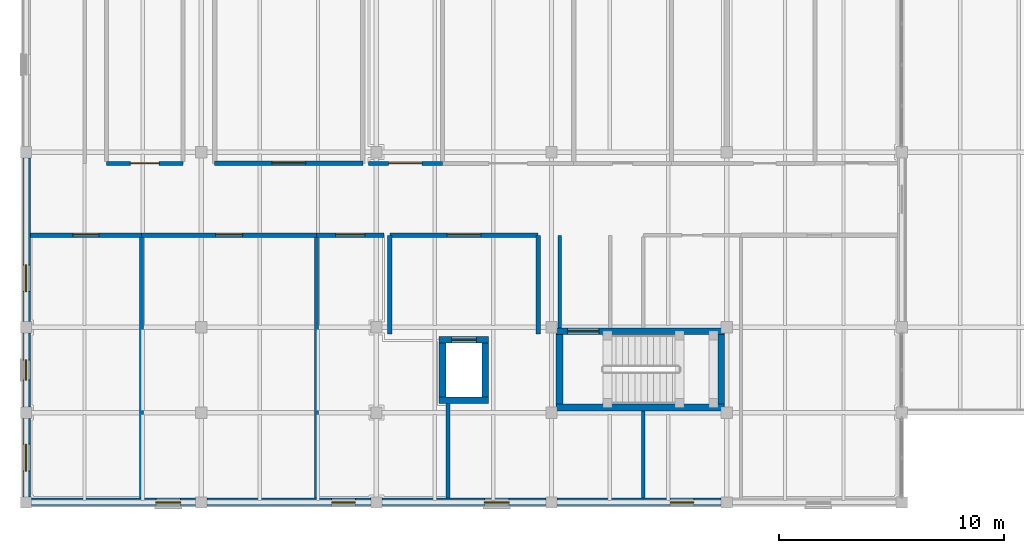
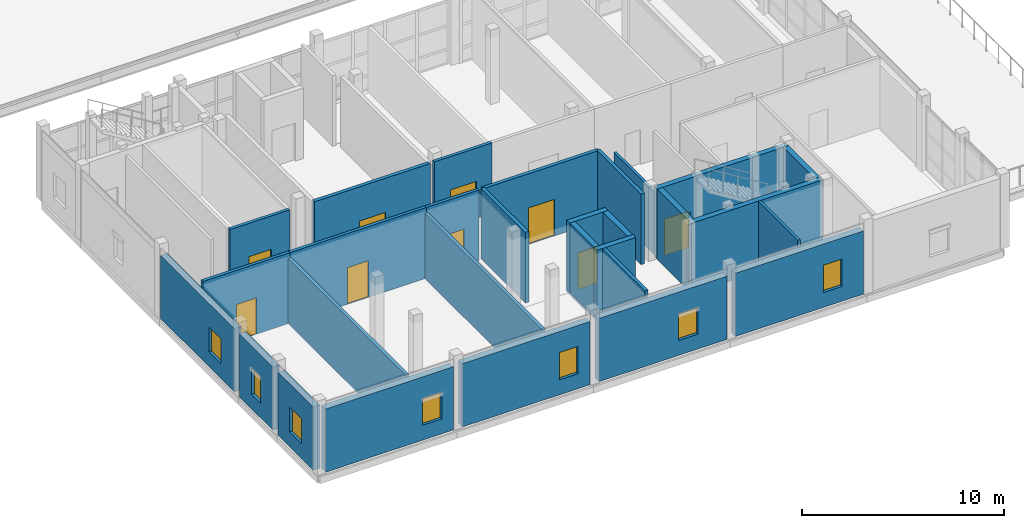
# One storey, part 65 of 89: 29 walls, 9 doors, 7 windows, 16 openings.
"""IFC4 building model written with IfcOpenShell, lengths in metres."""

import ifcopenshell
import ifcopenshell.guid

model = None  # the IFC model being written
_history = None  # IfcOwnerHistory: only IFC2X3 demands one
_inside = {}  # id of a spatial element -> (the spatial element, [elements in it])
_under = {}  # id of a project, library or spatial element -> (it, [spatial elements below it])
_declared = {}  # id of a project -> (the project, [libraries it declares])
_typed = {}  # id of a type object -> (the type object, [elements of that type])
_made_of = {}  # id of a material, layer set ... -> (it, [elements and type objects made of it])


def new_model(schema):
    """Start an empty IFC model of exactly this schema.

    Asked for "IFC4X3", IfcOpenShell would pick the latest addendum, in which some entities
    have other attributes; the version numbers below select the first issue.
    IFC2X3 requires an IfcOwnerHistory on every rooted entity: one is made here for all.
    """
    global model, _history
    if schema == "IFC4X3":
        model = ifcopenshell.file(schema_version=(4, 3, 0, 0))
    else:
        model = ifcopenshell.file(schema=schema)
    _inside.clear()
    _under.clear()
    _declared.clear()
    _typed.clear()
    _made_of.clear()
    _history = None
    if model.schema == "IFC2X3":
        org = make("IfcOrganization", Name="unknown")
        user = make(
            "IfcPersonAndOrganization",
            ThePerson=make("IfcPerson", FamilyName="unknown"),
            TheOrganization=org,
        )
        app = make(
            "IfcApplication",
            ApplicationDeveloper=org,
            Version="unknown",
            ApplicationFullName="unknown",
            ApplicationIdentifier="unknown",
        )
        _history = make(
            "IfcOwnerHistory",
            OwningUser=user,
            OwningApplication=app,
            ChangeAction="ADDED",
            CreationDate=0,
        )
    return model


def make(cls, **values):
    """One entity of the class cls with the attributes given. An attribute that is None is left unset."""
    return model.create_entity(
        cls, **{name: value for name, value in values.items() if value is not None}
    )


def rooted(cls, **values):
    """An entity with a GlobalId (a new one), such as an element, a storey or a relation."""
    return make(cls, GlobalId=ifcopenshell.guid.new(), OwnerHistory=_history, **values)


def si_unit(unit_type, name, prefix=None):
    """IfcSIUnit, for example si_unit("LENGTHUNIT", "METRE", prefix="MILLI")."""
    return make("IfcSIUnit", UnitType=unit_type, Prefix=prefix, Name=name)


def assignment(units):
    """IfcUnitAssignment: the units of a project."""
    return None if units is None else make("IfcUnitAssignment", Units=units)


def point(xyz):
    """IfcCartesianPoint."""
    return None if xyz is None else make("IfcCartesianPoint", Coordinates=xyz)


def direction(xyz):
    """IfcDirection."""
    return None if xyz is None else make("IfcDirection", DirectionRatios=xyz)


def frame(location, z_axis=None, x_axis=None):
    """IfcAxis2Placement3D, a coordinate frame: its origin and axes. An axis left out is left unset."""
    return make(
        "IfcAxis2Placement3D",
        Location=point(location),
        Axis=direction(z_axis),
        RefDirection=direction(x_axis),
    )


def frame_2d(location, x_axis=None):
    """IfcAxis2Placement2D, a coordinate frame in the plane: its origin and x axis."""
    return make(
        "IfcAxis2Placement2D", Location=point(location), RefDirection=direction(x_axis)
    )


def origin():
    """The frame at (0, 0, 0) with its axes left unset."""
    return frame((0.0, 0.0, 0.0))


def place(relative_to, where):
    """IfcLocalPlacement: puts the frame where relative to a parent placement (None: the world)."""
    return make(
        "IfcLocalPlacement", PlacementRelTo=relative_to, RelativePlacement=where
    )


def context(
    kind, dimensions, precision=None, world=None, true_north=None, identifier=None
):
    """IfcGeometricRepresentationContext, for example the 3D "Model" context."""
    return make(
        "IfcGeometricRepresentationContext",
        ContextIdentifier=identifier,
        ContextType=kind,
        CoordinateSpaceDimension=dimensions,
        Precision=precision,
        WorldCoordinateSystem=world,
        TrueNorth=true_north,
    )


def subcontext(parent, identifier, kind, view, scale=None):
    """IfcGeometricRepresentationSubContext, for example "Body" below "Model"."""
    return make(
        "IfcGeometricRepresentationSubContext",
        ContextIdentifier=identifier,
        ContextType=kind,
        ParentContext=parent,
        TargetScale=scale,
        TargetView=view,
    )


def project(units=None, contexts=None):
    """IfcProject with its units and contexts."""
    return rooted(
        "IfcProject",
        Name="project",
        RepresentationContexts=contexts,
        UnitsInContext=assignment(units),
    )


def spatial(cls, under=None, at=None, **own):
    """A site, building, storey or space (cls), placed at a placement, below another one or the project."""
    s = rooted(cls, ObjectPlacement=at, **own)
    if under is not None:
        _under.setdefault(under.id(), (under, []))[1].append(s)
    return s


def profile(cls, at=None, kind="AREA", **sizes):
    """A parametric profile (cls). Its sizes go by their IFC names, for example OverallWidth=200.0."""
    return make(cls, ProfileType=kind, Position=at, **sizes)


def rectangle(**sizes):
    """IfcRectangleProfileDef."""
    return profile("IfcRectangleProfileDef", **sizes)


def extrude(swept, where, along, depth):
    """IfcExtrudedAreaSolid: the profile swept, set in the frame where, extruded along a direction by depth."""
    return make(
        "IfcExtrudedAreaSolid",
        SweptArea=swept,
        Position=where,
        ExtrudedDirection=direction(along),
        Depth=depth,
    )


def shape(context_of_items, identifier, shape_type, items):
    """IfcShapeRepresentation: the items that make up one representation, for example the "Body"."""
    return make(
        "IfcShapeRepresentation",
        ContextOfItems=context_of_items,
        RepresentationIdentifier=identifier,
        RepresentationType=shape_type,
        Items=items,
    )


def material(Name=None, Category=None):
    """IfcMaterial."""
    return make("IfcMaterial", Name=Name, Category=Category)


def layer(
    of_material, thickness, ventilated=None, Name=None, Category=None, Priority=None
):
    """IfcMaterialLayer: one layer of a wall or slab, of a material (None: an air gap)."""
    return make(
        "IfcMaterialLayer",
        Material=of_material,
        LayerThickness=thickness,
        IsVentilated=ventilated,
        Name=Name,
        Category=Category,
        Priority=Priority,
    )


def layer_set(layers, Name=None):
    """IfcMaterialLayerSet."""
    return make("IfcMaterialLayerSet", MaterialLayers=layers, LayerSetName=Name)


def made_of(thing, what):
    """Note that an element or type object is made of a material, layer set ...; save() writes the relation."""
    if what is not None:
        _made_of.setdefault(what.id(), (what, []))[1].append(thing)
    return thing


def type_object(cls, material=None, **own):
    """A type object (cls), such as IfcWallType, which elements share."""
    return made_of(rooted(cls, **own), material)


def element(
    cls,
    number,
    at=None,
    inside=None,
    cuts=None,
    type_object=None,
    material=None,
    context=None,
    identifier="Body",
    shape_type=None,
    held_by="IfcProductDefinitionShape",
    body=None,
    shapes=None,
    **own,
):
    """One element of the class cls, such as IfcWall. Its Tag is "e" and its number.

    at: its placement. inside: the storey or other place that contains it. cuts: it is an
    opening in that element (IfcRelVoidsElement). A single representation is given by context,
    identifier, shape_type and body (its items); several are given by shapes. held_by: the class
    of the entity that holds the representations. save() writes the other relations.
    """
    e = rooted(cls, Tag="e%d" % number, ObjectPlacement=at, **own)
    if body is not None:
        shapes = [shape(context, identifier, shape_type, body)]
    if shapes is not None:
        e.Representation = make(held_by, Representations=shapes)
    if inside is not None:
        _inside.setdefault(inside.id(), (inside, []))[1].append(e)
    if cuts is not None:
        rooted(
            "IfcRelVoidsElement", RelatingBuildingElement=cuts, RelatedOpeningElement=e
        )
    if type_object is not None:
        _typed.setdefault(type_object.id(), (type_object, []))[1].append(e)
    return made_of(e, material)


def fill(opening, filler):
    """IfcRelFillsElement: the door or window that sits in an opening."""
    return rooted(
        "IfcRelFillsElement",
        RelatingOpeningElement=opening,
        RelatedBuildingElement=filler,
    )


def aggregate(whole, parts):
    """IfcRelAggregates: a whole, such as a stair, and the parts it consists of."""
    return rooted("IfcRelAggregates", RelatingObject=whole, RelatedObjects=parts)


def save(model, path):
    """Write the relations noted so far, then the file.

    IfcRelAggregates (storeys below a building ...), IfcRelContainedInSpatialStructure (elements
    in a storey), IfcRelDefinesByType, IfcRelAssociatesMaterial and IfcRelDeclares: one each for
    every whole, place, type object, material and project.
    """
    for whole, parts in _under.values():
        aggregate(whole, parts)
    for where, things in _inside.values():
        rooted(
            "IfcRelContainedInSpatialStructure",
            RelatedElements=things,
            RelatingStructure=where,
        )
    for kind, things in _typed.values():
        rooted("IfcRelDefinesByType", RelatedObjects=things, RelatingType=kind)
    for what, things in _made_of.values():
        rooted("IfcRelAssociatesMaterial", RelatedObjects=things, RelatingMaterial=what)
    for by, libraries in _declared.values():
        rooted("IfcRelDeclares", RelatingContext=by, RelatedDefinitions=libraries)
    model.write(path)


model = new_model("IFC4")

# Units and contexts
model_context = context("Model", 3, precision=1e-05, world=origin(), true_north=direction((0.0, 1.0)))
body_context = subcontext(model_context, "Body", "Model", "MODEL_VIEW")
ifc_project = project(units=[si_unit("LENGTHUNIT", "METRE"), si_unit("AREAUNIT", "SQUARE_METRE"), si_unit("VOLUMEUNIT", "CUBIC_METRE"), si_unit("PLANEANGLEUNIT", "RADIAN"), si_unit("MASSUNIT", "GRAM", prefix="KILO")], contexts=[model_context])

# Site, building, storey
site_placement = place(None, origin())
site = spatial("IfcSite", under=ifc_project, at=site_placement, CompositionType="ELEMENT")
building_placement = place(site_placement, origin())
building = spatial("IfcBuilding", under=site, at=building_placement, Name="Celorna Specialist Clinic", CompositionType="ELEMENT")
storey_placement = place(building_placement, frame((0.0, 0.0, 14.10009765625)))
storey = spatial("IfcBuildingStorey", under=building, at=storey_placement, Name="L03", CompositionType="ELEMENT", Elevation=14.10009765625)

# Wall, opening, window
ifc_material_1 = material(Name="Terracotta masonry with insulated cavity", Category="masonry")
ifc_layer_1 = layer(ifc_material_1, 0.3798828125, Name="Terracotta masonry with insulated cavity")
ifc_layer_set_1 = layer_set([ifc_layer_1], Name="Terracotta masonry with insulated cavity")
wall_type_1 = type_object("IfcWallType", Name="WT-06", PredefinedType="STANDARD", material=ifc_layer_set_1)
wall_1_placement = place(storey_placement, frame((7.550048828125, 0.0, 0.0), z_axis=(0.0, 0.0, 1.0), x_axis=(-1.0, 0.0, 0.0)))
wall_1 = element("IfcWall", 1, at=wall_1_placement, inside=storey, type_object=wall_type_1, Name="External facade wall WT-06 #349", PredefinedType="STANDARD", context=body_context, shape_type="SweptSolid", body=[
    extrude(rectangle(XDim=7.300048828125, YDim=0.3798828125, at=frame_2d((3.64990234375, 0.0))), origin(), (0.0, 0.0, 1.0), 3.81982421875),
])
opening_1_placement = place(wall_1_placement, frame((0.6650390625, 0.0, 0.89990234375)))
opening_1 = element("IfcOpeningElement", 2, at=opening_1_placement, cuts=wall_1, Name="Opening WN-03", PredefinedType="OPENING", context=body_context, shape_type="SweptSolid", body=[
    extrude(rectangle(XDim=1.10009765625, YDim=1.60009765625, at=frame_2d((0.550048828125, 0.800048828125))), frame((0.0, 0.199951171875, 0.0), z_axis=(0.0, -1.0, 0.0), x_axis=(1.0, 0.0, 0.0)), (0.0, 0.0, 1.0), 0.39990234375),
])
ifc_material_2 = material(Name="Thermally broken aluminium triple-glazed window", Category="aluminium")
window_type_1 = type_object("IfcWindowType", Name="WN-03", PartitioningType="SINGLE_PANEL", PredefinedType="WINDOW", material=ifc_material_2)
window_1_placement = place(opening_1_placement, origin())
window_1 = element("IfcWindow", 3, at=window_1_placement, inside=storey, type_object=window_type_1, Name="Facade window WN-03 #214", OverallHeight=1.60009765625, OverallWidth=1.10009765625, PartitioningType="SINGLE_PANEL", PredefinedType="WINDOW", context=body_context, shape_type="SweptSolid", body=[
    extrude(rectangle(XDim=1.10009765625, YDim=1.60009765625, at=frame_2d((0.550048828125, 0.800048828125))), frame((0.0, 0.030029296875, 0.0), z_axis=(0.0, -1.0, 0.0), x_axis=(1.0, 0.0, 0.0)), (0.0, 0.0, 1.0), 0.06005859375),
])
fill(opening_1, window_1)

wall_2_placement = place(storey_placement, frame((15.35009765625, 0.0, 0.0), z_axis=(0.0, 0.0, 1.0), x_axis=(-1.0, 0.0, 0.0)))
wall_2 = element("IfcWall", 4, at=wall_2_placement, inside=storey, type_object=wall_type_1, Name="External facade wall WT-06 #350", PredefinedType="STANDARD", context=body_context, shape_type="SweptSolid", body=[
    extrude(rectangle(XDim=7.300048828125, YDim=0.3798828125, at=frame_2d((3.64990234375, 0.0))), origin(), (0.0, 0.0, 1.0), 3.81982421875),
])
opening_2_placement = place(wall_2_placement, frame((0.68994140625, 0.0, 0.89990234375)))
opening_2 = element("IfcOpeningElement", 5, at=opening_2_placement, cuts=wall_2, Name="Opening WN-21", PredefinedType="OPENING", context=body_context, shape_type="SweptSolid", body=[
    extrude(rectangle(XDim=1.050048828125, YDim=1.64990234375, at=frame_2d((0.52490234375, 0.824951171875))), frame((0.0, 0.199951171875, 0.0), z_axis=(0.0, -1.0, 0.0), x_axis=(1.0, 0.0, 0.0)), (0.0, 0.0, 1.0), 0.39990234375),
])
window_type_2 = type_object("IfcWindowType", Name="WN-21", PartitioningType="SINGLE_PANEL", PredefinedType="WINDOW", material=ifc_material_2)
window_2_placement = place(opening_2_placement, origin())
window_2 = element("IfcWindow", 6, at=window_2_placement, inside=storey, type_object=window_type_2, Name="Facade window WN-21 #215", OverallHeight=1.64990234375, OverallWidth=1.050048828125, PartitioningType="SINGLE_PANEL", PredefinedType="WINDOW", context=body_context, shape_type="SweptSolid", body=[
    extrude(rectangle(XDim=1.050048828125, YDim=1.64990234375, at=frame_2d((0.52490234375, 0.824951171875))), frame((0.0, 0.030029296875, 0.0), z_axis=(0.0, -1.0, 0.0), x_axis=(1.0, 0.0, 0.0)), (0.0, 0.0, 1.0), 0.06005859375),
])
fill(opening_2, window_2)

wall_3_placement = place(storey_placement, frame((23.14990234375, 0.0, 0.0), z_axis=(0.0, 0.0, 1.0), x_axis=(-1.0, 0.0, 0.0)))
wall_3 = element("IfcWall", 7, at=wall_3_placement, inside=storey, type_object=wall_type_1, Name="External facade wall WT-06 #351", PredefinedType="STANDARD", context=body_context, shape_type="SweptSolid", body=[
    extrude(rectangle(XDim=7.2998046875, YDim=0.3798828125, at=frame_2d((3.64990234375, 0.0))), origin(), (0.0, 0.0, 1.0), 3.81982421875),
])
opening_3_placement = place(wall_3_placement, frame((1.639892578125, 0.0, 0.89990234375)))
opening_3 = element("IfcOpeningElement", 8, at=opening_3_placement, cuts=wall_3, Name="Opening WN-03", PredefinedType="OPENING", context=body_context, shape_type="SweptSolid", body=[
    extrude(rectangle(XDim=1.10009765625, YDim=1.60009765625, at=frame_2d((0.550048828125, 0.800048828125))), frame((0.0, 0.199951171875, 0.0), z_axis=(0.0, -1.0, 0.0), x_axis=(1.0, 0.0, 0.0)), (0.0, 0.0, 1.0), 0.39990234375),
])
window_3_placement = place(opening_3_placement, origin())
window_3 = element("IfcWindow", 9, at=window_3_placement, inside=storey, type_object=window_type_1, Name="Facade window WN-03 #216", OverallHeight=1.60009765625, OverallWidth=1.10009765625, PartitioningType="SINGLE_PANEL", PredefinedType="WINDOW", context=body_context, shape_type="SweptSolid", body=[
    extrude(rectangle(XDim=1.10009765625, YDim=1.60009765625, at=frame_2d((0.550048828125, 0.800048828125))), frame((0.0, 0.030029296875, 0.0), z_axis=(0.0, -1.0, 0.0), x_axis=(1.0, 0.0, 0.0)), (0.0, 0.0, 1.0), 0.06005859375),
])
fill(opening_3, window_3)

wall_4_placement = place(storey_placement, frame((30.949951171875, 0.0, 0.0), z_axis=(0.0, 0.0, 1.0), x_axis=(-1.0, 0.0, 0.0)))
wall_4 = element("IfcWall", 10, at=wall_4_placement, inside=storey, type_object=wall_type_1, Name="External facade wall WT-06 #352", PredefinedType="STANDARD", context=body_context, shape_type="SweptSolid", body=[
    extrude(rectangle(XDim=7.300048828125, YDim=0.3798828125, at=frame_2d((3.64990234375, 0.0))), origin(), (0.0, 0.0, 1.0), 3.81982421875),
])
opening_4_placement = place(wall_4_placement, frame((1.215087890625, 0.0, 0.89990234375)))
opening_4 = element("IfcOpeningElement", 11, at=opening_4_placement, cuts=wall_4, Name="Opening WN-21", PredefinedType="OPENING", context=body_context, shape_type="SweptSolid", body=[
    extrude(rectangle(XDim=1.050048828125, YDim=1.64990234375, at=frame_2d((0.52490234375, 0.824951171875))), frame((0.0, 0.199951171875, 0.0), z_axis=(0.0, -1.0, 0.0), x_axis=(1.0, 0.0, 0.0)), (0.0, 0.0, 1.0), 0.39990234375),
])
window_4_placement = place(opening_4_placement, origin())
window_4 = element("IfcWindow", 12, at=window_4_placement, inside=storey, type_object=window_type_2, Name="Facade window WN-21 #217", OverallHeight=1.64990234375, OverallWidth=1.050048828125, PartitioningType="SINGLE_PANEL", PredefinedType="WINDOW", context=body_context, shape_type="SweptSolid", body=[
    extrude(rectangle(XDim=1.050048828125, YDim=1.64990234375, at=frame_2d((0.52490234375, 0.824951171875))), frame((0.0, 0.030029296875, 0.0), z_axis=(0.0, -1.0, 0.0), x_axis=(1.0, 0.0, 0.0)), (0.0, 0.0, 1.0), 0.06005859375),
])
fill(opening_4, window_4)

wall_5_placement = place(storey_placement, frame((0.0, 0.25, 0.0), z_axis=(0.0, 0.0, 1.0), x_axis=(0.0, 1.0, 0.0)))
wall_5 = element("IfcWall", 13, at=wall_5_placement, inside=storey, type_object=wall_type_1, Name="External facade wall WT-06 #354", PredefinedType="STANDARD", context=body_context, shape_type="SweptSolid", body=[
    extrude(rectangle(XDim=3.5, YDim=0.3798828125, at=frame_2d((1.75, 0.0))), origin(), (0.0, 0.0, 1.0), 3.81982421875),
])
opening_5_placement = place(wall_5_placement, frame((1.14990234375, 0.0, 0.89990234375)))
opening_5 = element("IfcOpeningElement", 14, at=opening_5_placement, cuts=wall_5, Name="Opening WN-04", PredefinedType="OPENING", context=body_context, shape_type="SweptSolid", body=[
    extrude(rectangle(XDim=1.199951171875, YDim=1.5, at=frame_2d((0.60009765625, 0.75))), frame((0.0, 0.199951171875, 0.0), z_axis=(0.0, -1.0, 0.0), x_axis=(1.0, 0.0, 0.0)), (0.0, 0.0, 1.0), 0.39990234375),
])
window_type_3 = type_object("IfcWindowType", Name="WN-04", PartitioningType="SINGLE_PANEL", PredefinedType="WINDOW", material=ifc_material_2)
window_5_placement = place(opening_5_placement, origin())
window_5 = element("IfcWindow", 15, at=window_5_placement, inside=storey, type_object=window_type_3, Name="Facade window WN-04 #219", OverallHeight=1.5, OverallWidth=1.199951171875, PartitioningType="SINGLE_PANEL", PredefinedType="WINDOW", context=body_context, shape_type="SweptSolid", body=[
    extrude(rectangle(XDim=1.199951171875, YDim=1.5, at=frame_2d((0.60009765625, 0.75))), frame((0.0, 0.030029296875, 0.0), z_axis=(0.0, -1.0, 0.0), x_axis=(1.0, 0.0, 0.0)), (0.0, 0.0, 1.0), 0.06005859375),
])
fill(opening_5, window_5)

wall_6_placement = place(storey_placement, frame((0.0, 4.25, 0.0), z_axis=(0.0, 0.0, 1.0), x_axis=(0.0, 1.0, 0.0)))
wall_6 = element("IfcWall", 16, at=wall_6_placement, inside=storey, type_object=wall_type_1, Name="External facade wall WT-06 #355", PredefinedType="STANDARD", context=body_context, shape_type="SweptSolid", body=[
    extrude(rectangle(XDim=3.300048828125, YDim=0.3798828125, at=frame_2d((1.64990234375, 0.0))), origin(), (0.0, 0.0, 1.0), 3.81982421875),
])
opening_6_placement = place(wall_6_placement, frame((1.199951171875, 0.0, 0.89990234375)))
opening_6 = element("IfcOpeningElement", 17, at=opening_6_placement, cuts=wall_6, Name="Opening WN-01", PredefinedType="OPENING", context=body_context, shape_type="SweptSolid", body=[
    extrude(rectangle(XDim=0.89990234375, YDim=1.60009765625, at=frame_2d((0.449951171875, 0.800048828125))), frame((0.0, 0.199951171875, 0.0), z_axis=(0.0, -1.0, 0.0), x_axis=(1.0, 0.0, 0.0)), (0.0, 0.0, 1.0), 0.39990234375),
])
window_type_4 = type_object("IfcWindowType", Name="WN-01", PartitioningType="SINGLE_PANEL", PredefinedType="WINDOW", material=ifc_material_2)
window_6_placement = place(opening_6_placement, origin())
window_6 = element("IfcWindow", 18, at=window_6_placement, inside=storey, type_object=window_type_4, Name="Facade window WN-01 #220", OverallHeight=1.60009765625, OverallWidth=0.89990234375, PartitioningType="SINGLE_PANEL", PredefinedType="WINDOW", context=body_context, shape_type="SweptSolid", body=[
    extrude(rectangle(XDim=0.89990234375, YDim=1.60009765625, at=frame_2d((0.449951171875, 0.800048828125))), frame((0.0, 0.030029296875, 0.0), z_axis=(0.0, -1.0, 0.0), x_axis=(1.0, 0.0, 0.0)), (0.0, 0.0, 1.0), 0.06005859375),
])
fill(opening_6, window_6)

wall_7_placement = place(storey_placement, frame((0.0, 8.050048828125, 0.0), z_axis=(0.0, 0.0, 1.0), x_axis=(0.0, 1.0, 0.0)))
wall_7 = element("IfcWall", 19, at=wall_7_placement, inside=storey, type_object=wall_type_1, Name="External facade wall WT-06 #356", PredefinedType="STANDARD", context=body_context, shape_type="SweptSolid", body=[
    extrude(rectangle(XDim=7.300048828125, YDim=0.3798828125, at=frame_2d((3.64990234375, 0.0))), origin(), (0.0, 0.0, 1.0), 3.81982421875),
])
opening_7_placement = place(wall_7_placement, frame((1.3349609375, 0.0, 0.89990234375)))
opening_7 = element("IfcOpeningElement", 20, at=opening_7_placement, cuts=wall_7, Name="Opening WN-04", PredefinedType="OPENING", context=body_context, shape_type="SweptSolid", body=[
    extrude(rectangle(XDim=1.199951171875, YDim=1.5, at=frame_2d((0.60009765625, 0.75))), frame((0.0, 0.199951171875, 0.0), z_axis=(0.0, -1.0, 0.0), x_axis=(1.0, 0.0, 0.0)), (0.0, 0.0, 1.0), 0.39990234375),
])
window_7_placement = place(opening_7_placement, origin())
window_7 = element("IfcWindow", 21, at=window_7_placement, inside=storey, type_object=window_type_3, Name="Facade window WN-04 #221", OverallHeight=1.5, OverallWidth=1.199951171875, PartitioningType="SINGLE_PANEL", PredefinedType="WINDOW", context=body_context, shape_type="SweptSolid", body=[
    extrude(rectangle(XDim=1.199951171875, YDim=1.5, at=frame_2d((0.60009765625, 0.75))), frame((0.0, 0.030029296875, 0.0), z_axis=(0.0, -1.0, 0.0), x_axis=(1.0, 0.0, 0.0)), (0.0, 0.0, 1.0), 0.06005859375),
])
fill(opening_7, window_7)

# Wall
ifc_material_3 = material(Name="Concrete C35/45", Category="concrete")
ifc_layer_2 = layer(ifc_material_3, 0.300048828125, Name="Concrete C35/45")
ifc_layer_set_2 = layer_set([ifc_layer_2], Name="Concrete C35/45")
wall_type_2 = type_object("IfcWallType", Name="WT-08", PredefinedType="SHEAR", material=ifc_layer_set_2)
wall_8_placement = place(storey_placement, frame((23.610107421875, 4.22998046875, 0.0), z_axis=(0.0, 0.0, 1.0), x_axis=(1.0, 0.0, 0.0)))
element("IfcWall", 22, at=wall_8_placement, inside=storey, type_object=wall_type_2, Name="Stair ST-05 RC core wall L03 south", PredefinedType="SHEAR", context=body_context, shape_type="SweptSolid", body=[
    extrude(rectangle(XDim=7.5, YDim=0.300048828125, at=frame_2d((3.75, 0.0))), origin(), (0.0, 0.0, 1.0), 4.260009765625),
])

# Wall, opening, door
wall_9_placement = place(storey_placement, frame((31.110107421875, 7.6298828125, 0.0), z_axis=(0.0, 0.0, 1.0), x_axis=(-1.0, 0.0, 0.0)))
wall_9 = element("IfcWall", 23, at=wall_9_placement, inside=storey, type_object=wall_type_2, Name="Stair ST-05 RC core wall L03 north", PredefinedType="SHEAR", context=body_context, shape_type="SweptSolid", body=[
    extrude(rectangle(XDim=7.5, YDim=0.300048828125, at=frame_2d((3.75, 0.0))), origin(), (0.0, 0.0, 1.0), 4.260009765625),
])
opening_8_placement = place(wall_9_placement, frame((5.60009765625, 0.0, 0.0)))
opening_8 = element("IfcOpeningElement", 24, at=opening_8_placement, cuts=wall_9, Name="Opening DR-10", PredefinedType="OPENING", context=body_context, shape_type="SweptSolid", body=[
    extrude(rectangle(XDim=1.39990234375, YDim=2.199951171875, at=frame_2d((0.699951171875, 1.10009765625))), frame((0.0, 0.159912109375, 0.0), z_axis=(0.0, -1.0, 0.0), x_axis=(1.0, 0.0, 0.0)), (0.0, 0.0, 1.0), 0.320068359375),
])
ifc_material_4 = material(Name="Protected exit stair fire door")
door_type_1 = type_object("IfcDoorType", Name="DR-10", OperationType="NOTDEFINED", PredefinedType="DOOR", material=ifc_material_4)
door_1_placement = place(opening_8_placement, origin())
door_1 = element("IfcDoor", 25, at=door_1_placement, inside=storey, type_object=door_type_1, Name="Protected exit stair door ST-05 L03", OperationType="SINGLE_SWING_RIGHT", OverallHeight=2.199951171875, OverallWidth=1.39990234375, PredefinedType="DOOR", context=body_context, shape_type="SweptSolid", body=[
    extrude(rectangle(XDim=1.39990234375, YDim=2.199951171875, at=frame_2d((0.699951171875, 1.10009765625))), frame((0.0, 0.02490234375, 0.0), z_axis=(0.0, -1.0, 0.0), x_axis=(1.0, 0.0, 0.0)), (0.0, 0.0, 1.0), 0.050048828125),
])
fill(opening_8, door_1)

# Walls
for number, where, z_axis, x_axis, name in (
    (26, (23.760009765625, 7.47998046875, 0.0), (0.0, 0.0, 1.0), (0.0, -1.0, 0.0), "Stair ST-05 RC core wall L03 west"),
    (27, (30.9599609375, 4.3798828125, 0.0), (0.0, 0.0, 1.0), (0.0, 1.0, 0.0), "Stair ST-05 RC core wall L03 east"),
):
    element("IfcWall", number, at=place(storey_placement, frame(where, z_axis=z_axis, x_axis=x_axis)), inside=storey, type_object=wall_type_2, Name=name, PredefinedType="SHEAR", context=body_context, shape_type="SweptSolid", body=[
        extrude(rectangle(XDim=3.10009765625, YDim=0.300048828125, at=frame_2d((1.550048828125, 0.0))), origin(), (0.0, 0.0, 1.0), 4.260009765625),
    ])
wall_10_placement = place(storey_placement, frame((18.39990234375, 4.550048828125, 0.0), z_axis=(0.0, 0.0, 1.0), x_axis=(1.0, 0.0, 0.0)))
element("IfcWall", 28, at=wall_10_placement, inside=storey, type_object=wall_type_2, Name="Lift LF-05 RC shaft wall L03", PredefinedType="SHEAR", context=body_context, shape_type="SweptSolid", body=[
    extrude(rectangle(XDim=2.2001953125, YDim=0.300048828125, at=frame_2d((1.10009765625, 0.0))), origin(), (0.0, 0.0, 1.0), 4.260009765625),
])

# Wall, opening, door
wall_11_placement = place(storey_placement, frame((20.60009765625, 7.25, 0.0), z_axis=(0.0, 0.0, 1.0), x_axis=(-1.0, 0.0, 0.0)))
wall_11 = element("IfcWall", 29, at=wall_11_placement, inside=storey, type_object=wall_type_2, Name="Lift LF-05 RC shaft wall L03", PredefinedType="SHEAR", context=body_context, shape_type="SweptSolid", body=[
    extrude(rectangle(XDim=2.2001953125, YDim=0.300048828125, at=frame_2d((1.10009765625, 0.0))), origin(), (0.0, 0.0, 1.0), 4.260009765625),
])
opening_9_placement = place(wall_11_placement, frame((0.550048828125, 0.0, 0.0)))
opening_9 = element("IfcOpeningElement", 30, at=opening_9_placement, cuts=wall_11, Name="Opening LD-01", PredefinedType="OPENING", context=body_context, shape_type="SweptSolid", body=[
    extrude(rectangle(XDim=1.10009765625, YDim=2.199951171875, at=frame_2d((0.550048828125, 1.10009765625))), frame((0.0, 0.159912109375, 0.0), z_axis=(0.0, -1.0, 0.0), x_axis=(1.0, 0.0, 0.0)), (0.0, 0.0, 1.0), 0.320068359375),
])
ifc_material_5 = material(Name="Stainless steel lift landing sliding door", Category="steel")
door_type_2 = type_object("IfcDoorType", Name="LD-01", OperationType="DOUBLE_DOOR_SLIDING", PredefinedType="DOOR", material=ifc_material_5)
door_2_placement = place(opening_9_placement, origin())
door_2 = element("IfcDoor", 31, at=door_2_placement, inside=storey, type_object=door_type_2, Name="Lift LF-05 sliding landing door L03", OperationType="DOUBLE_DOOR_SLIDING", OverallHeight=2.199951171875, OverallWidth=1.10009765625, PredefinedType="DOOR", context=body_context, shape_type="SweptSolid", body=[
    extrude(rectangle(XDim=1.10009765625, YDim=2.199951171875, at=frame_2d((0.550048828125, 1.10009765625))), frame((0.0, 0.02490234375, 0.0), z_axis=(0.0, -1.0, 0.0), x_axis=(1.0, 0.0, 0.0)), (0.0, 0.0, 1.0), 0.050048828125),
])
fill(opening_9, door_2)

# Walls
for number, where, z_axis, x_axis, name in (
    (32, (18.550048828125, 7.10009765625, 0.0), (0.0, 0.0, 1.0), (0.0, -1.0, 0.0), "Lift LF-05 RC shaft wall L03"),
    (33, (20.449951171875, 4.699951171875, 0.0), (0.0, 0.0, 1.0), (0.0, 1.0, 0.0), "Lift LF-05 RC shaft wall L03"),
):
    element("IfcWall", number, at=place(storey_placement, frame(where, z_axis=z_axis, x_axis=x_axis)), inside=storey, type_object=wall_type_2, Name=name, PredefinedType="SHEAR", context=body_context, shape_type="SweptSolid", body=[
        extrude(rectangle(XDim=2.400146484375, YDim=0.300048828125, at=frame_2d((1.2001953125, 0.0))), origin(), (0.0, 0.0, 1.0), 4.260009765625),
    ])

# Wall, opening, door
ifc_layer_3 = layer(ifc_material_3, 0.199951171875, Name="Concrete C35/45")
ifc_layer_set_3 = layer_set([ifc_layer_3], Name="Concrete C35/45")
wall_type_3 = type_object("IfcWallType", Name="WT-12", PredefinedType="SOLIDWALL", material=ifc_layer_set_3)
wall_12_placement = place(storey_placement, frame((8.39990234375, 15.10009765625, 0.0), z_axis=(0.0, 0.0, 1.0), x_axis=(1.0, 0.0, 0.0)))
wall_12 = element("IfcWall", 34, at=wall_12_placement, inside=storey, type_object=wall_type_3, Name="Firefighting lobby wall LF-04 L03", PredefinedType="SOLIDWALL", context=body_context, shape_type="SweptSolid", body=[
    extrude(rectangle(XDim=6.60009765625, YDim=0.199951171875, at=frame_2d((3.300048828125, 0.0))), origin(), (0.0, 0.0, 1.0), 4.260009765625),
])
opening_10_placement = place(wall_12_placement, frame((2.550048828125, 0.0, 0.0)))
opening_10 = element("IfcOpeningElement", 35, at=opening_10_placement, cuts=wall_12, Name="Opening DR-11", PredefinedType="OPENING", context=body_context, shape_type="SweptSolid", body=[
    extrude(rectangle(XDim=1.5, YDim=2.199951171875, at=frame_2d((0.75, 1.10009765625))), frame((0.0, 0.10986328125, 0.0), z_axis=(0.0, -1.0, 0.0), x_axis=(1.0, 0.0, 0.0)), (0.0, 0.0, 1.0), 0.219970703125),
])
ifc_material_6 = material(Name="Firefighting lobby double fire door")
door_type_3 = type_object("IfcDoorType", Name="DR-11", OperationType="DOUBLE_DOOR_SINGLE_SWING", PredefinedType="DOOR", material=ifc_material_6)
door_3_placement = place(opening_10_placement, origin())
door_3 = element("IfcDoor", 36, at=door_3_placement, inside=storey, type_object=door_type_3, Name="Firefighting lobby fire door LF-04 L03", OperationType="DOUBLE_DOOR_SINGLE_SWING", OverallHeight=2.199951171875, OverallWidth=1.5, PredefinedType="DOOR", context=body_context, shape_type="SweptSolid", body=[
    extrude(rectangle(XDim=1.5, YDim=2.199951171875, at=frame_2d((0.75, 1.10009765625))), frame((0.0, 0.02490234375, 0.0), z_axis=(0.0, -1.0, 0.0), x_axis=(1.0, 0.0, 0.0)), (0.0, 0.0, 1.0), 0.050048828125),
])
fill(opening_10, door_3)

wall_13_placement = place(storey_placement, frame((22.800048828125, 11.89990234375, 0.0), z_axis=(0.0, 0.0, 1.0), x_axis=(-1.0, 0.0, 0.0)))
wall_13 = element("IfcWall", 37, at=wall_13_placement, inside=storey, type_object=wall_type_3, Name="Lift lobby wall LF-05 L03", PredefinedType="SOLIDWALL", context=body_context, shape_type="SweptSolid", body=[
    extrude(rectangle(XDim=6.60009765625, YDim=0.199951171875, at=frame_2d((3.300048828125, 0.0))), origin(), (0.0, 0.0, 1.0), 4.260009765625),
])
opening_11_placement = place(wall_13_placement, frame((2.550048828125, 0.0, 0.0)))
opening_11 = element("IfcOpeningElement", 38, at=opening_11_placement, cuts=wall_13, Name="Opening DR-11", PredefinedType="OPENING", context=body_context, shape_type="SweptSolid", body=[
    extrude(rectangle(XDim=1.5, YDim=2.199951171875, at=frame_2d((0.75, 1.10009765625))), frame((0.0, 0.10986328125, 0.0), z_axis=(0.0, -1.0, 0.0), x_axis=(1.0, 0.0, 0.0)), (0.0, 0.0, 1.0), 0.219970703125),
])
door_4_placement = place(opening_11_placement, origin())
door_4 = element("IfcDoor", 39, at=door_4_placement, inside=storey, type_object=door_type_3, Name="Lift lobby fire door LF-05 L03", OperationType="DOUBLE_DOOR_SINGLE_SWING", OverallHeight=2.199951171875, OverallWidth=1.5, PredefinedType="DOOR", context=body_context, shape_type="SweptSolid", body=[
    extrude(rectangle(XDim=1.5, YDim=2.199951171875, at=frame_2d((0.75, 1.10009765625))), frame((0.0, 0.02490234375, 0.0), z_axis=(0.0, -1.0, 0.0), x_axis=(1.0, 0.0, 0.0)), (0.0, 0.0, 1.0), 0.050048828125),
])
fill(opening_11, door_4)

# Walls
for number, where, z_axis, x_axis, name in (
    (40, (16.199951171875, 11.89990234375, 0.0), (0.0, 0.0, 1.0), (0.0, -1.0, 0.0), "Lift lobby wall LF-05 L03"),
    (41, (22.800048828125, 7.5, 0.0), (0.0, 0.0, 1.0), (0.0, 1.0, 0.0), "Lift lobby wall LF-05 L03"),
):
    element("IfcWall", number, at=place(storey_placement, frame(where, z_axis=z_axis, x_axis=x_axis)), inside=storey, type_object=wall_type_3, Name=name, PredefinedType="SOLIDWALL", context=body_context, shape_type="SweptSolid", body=[
        extrude(rectangle(XDim=4.39990234375, YDim=0.199951171875, at=frame_2d((2.199951171875, 0.0))), origin(), (0.0, 0.0, 1.0), 4.260009765625),
    ])

# Wall, opening, door
ifc_material_7 = material(Name="Acoustic masonry clinical partition", Category="masonry")
ifc_layer_4 = layer(ifc_material_7, 0.179931640625, Name="Acoustic masonry clinical partition")
ifc_layer_set_4 = layer_set([ifc_layer_4], Name="Acoustic masonry clinical partition")
wall_type_4 = type_object("IfcWallType", Name="WT-13", PredefinedType="PARTITIONING", material=ifc_layer_set_4)
wall_14_placement = place(storey_placement, frame((5.139892578125, 11.89990234375, 0.0), z_axis=(0.0, 0.0, 1.0), x_axis=(-1.0, 0.0, 0.0)))
wall_14 = element("IfcWall", 42, at=wall_14_placement, inside=storey, type_object=wall_type_4, Name="Interior partition WT-13 L03-041", PredefinedType="PARTITIONING", context=body_context, shape_type="SweptSolid", body=[
    extrude(rectangle(XDim=4.949951171875, YDim=0.179931640625, at=frame_2d((2.47509765625, 0.0))), origin(), (0.0, 0.0, 1.0), 4.260009765625),
])
opening_12_placement = place(wall_14_placement, frame((1.89990234375, 0.0, 0.0)))
opening_12 = element("IfcOpeningElement", 43, at=opening_12_placement, cuts=wall_14, Name="Opening DR-07", PredefinedType="OPENING", context=body_context, shape_type="SweptSolid", body=[
    extrude(rectangle(XDim=1.14990234375, YDim=2.199951171875, at=frame_2d((0.574951171875, 1.10009765625))), frame((0.0, 0.099853515625, 0.0), z_axis=(0.0, -1.0, 0.0), x_axis=(1.0, 0.0, 0.0)), (0.0, 0.0, 1.0), 0.199951171875),
])
ifc_material_8 = material(Name="Hermetic cleanroom airlock door")
door_type_4 = type_object("IfcDoorType", Name="DR-07", OperationType="NOTDEFINED", PredefinedType="DOOR", material=ifc_material_8)
door_5_placement = place(opening_12_placement, origin())
door_5 = element("IfcDoor", 44, at=door_5_placement, inside=storey, type_object=door_type_4, Name="Endoscopy Procedure Room door L03-041", OperationType="SINGLE_SWING_RIGHT", OverallHeight=2.199951171875, OverallWidth=1.14990234375, PredefinedType="DOOR", context=body_context, shape_type="SweptSolid", body=[
    extrude(rectangle(XDim=1.14990234375, YDim=2.199951171875, at=frame_2d((0.574951171875, 1.10009765625))), frame((0.0, 0.02490234375, 0.0), z_axis=(0.0, -1.0, 0.0), x_axis=(1.0, 0.0, 0.0)), (0.0, 0.0, 1.0), 0.050048828125),
])
fill(opening_12, door_5)

wall_15_placement = place(storey_placement, frame((12.93994140625, 11.89990234375, 0.0), z_axis=(0.0, 0.0, 1.0), x_axis=(-1.0, 0.0, 0.0)))
wall_15 = element("IfcWall", 45, at=wall_15_placement, inside=storey, type_object=wall_type_4, Name="Interior partition WT-13 L03-042", PredefinedType="PARTITIONING", context=body_context, shape_type="SweptSolid", body=[
    extrude(rectangle(XDim=7.800048828125, YDim=0.179931640625, at=frame_2d((3.89990234375, 0.0))), origin(), (0.0, 0.0, 1.0), 4.260009765625),
])
opening_13_placement = place(wall_15_placement, frame((3.300048828125, 0.0, 0.0)))
opening_13 = element("IfcOpeningElement", 46, at=opening_13_placement, cuts=wall_15, Name="Opening DR-08", PredefinedType="OPENING", context=body_context, shape_type="SweptSolid", body=[
    extrude(rectangle(XDim=1.199951171875, YDim=2.199951171875, at=frame_2d((0.60009765625, 1.10009765625))), frame((0.0, 0.099853515625, 0.0), z_axis=(0.0, -1.0, 0.0), x_axis=(1.0, 0.0, 0.0)), (0.0, 0.0, 1.0), 0.199951171875),
])
ifc_material_9 = material(Name="Stretcher-width clinical door")
door_type_5 = type_object("IfcDoorType", Name="DR-08", OperationType="NOTDEFINED", PredefinedType="DOOR", material=ifc_material_9)
door_6_placement = place(opening_13_placement, origin())
door_6 = element("IfcDoor", 47, at=door_6_placement, inside=storey, type_object=door_type_5, Name="Bronchoscopy Treatment Room door L03-042", OperationType="SINGLE_SWING_LEFT", OverallHeight=2.199951171875, OverallWidth=1.199951171875, PredefinedType="DOOR", context=body_context, shape_type="SweptSolid", body=[
    extrude(rectangle(XDim=1.199951171875, YDim=2.199951171875, at=frame_2d((0.60009765625, 1.10009765625))), frame((0.0, 0.02490234375, 0.0), z_axis=(0.0, -1.0, 0.0), x_axis=(1.0, 0.0, 0.0)), (0.0, 0.0, 1.0), 0.050048828125),
])
fill(opening_13, door_6)

wall_16_placement = place(storey_placement, frame((15.949951171875, 11.89990234375, 0.0), z_axis=(0.0, 0.0, 1.0), x_axis=(-1.0, 0.0, 0.0)))
wall_16 = element("IfcWall", 48, at=wall_16_placement, inside=storey, type_object=wall_type_4, Name="Interior partition WT-13 L03-043", PredefinedType="PARTITIONING", context=body_context, shape_type="SweptSolid", body=[
    extrude(rectangle(XDim=3.010009765625, YDim=0.179931640625, at=frame_2d((1.5048828125, 0.0))), origin(), (0.0, 0.0, 1.0), 4.260009765625),
])
opening_14_placement = place(wall_16_placement, frame((0.860107421875, 0.0, 0.0)))
opening_14 = element("IfcOpeningElement", 49, at=opening_14_placement, cuts=wall_16, Name="Opening DR-09", PredefinedType="OPENING", context=body_context, shape_type="SweptSolid", body=[
    extrude(rectangle(XDim=1.300048828125, YDim=2.199951171875, at=frame_2d((0.64990234375, 1.10009765625))), frame((0.0, 0.099853515625, 0.0), z_axis=(0.0, -1.0, 0.0), x_axis=(1.0, 0.0, 0.0)), (0.0, 0.0, 1.0), 0.199951171875),
])
ifc_material_10 = material(Name="Lead-lined radiology room door")
door_type_6 = type_object("IfcDoorType", Name="DR-09", OperationType="NOTDEFINED", PredefinedType="DOOR", material=ifc_material_10)
door_7_placement = place(opening_14_placement, origin())
door_7 = element("IfcDoor", 50, at=door_7_placement, inside=storey, type_object=door_type_6, Name="Endoscope High-Level Decontamination Room door L03-043", OperationType="SINGLE_SWING_RIGHT", OverallHeight=2.199951171875, OverallWidth=1.300048828125, PredefinedType="DOOR", context=body_context, shape_type="SweptSolid", body=[
    extrude(rectangle(XDim=1.300048828125, YDim=2.199951171875, at=frame_2d((0.64990234375, 1.10009765625))), frame((0.0, 0.02490234375, 0.0), z_axis=(0.0, -1.0, 0.0), x_axis=(1.0, 0.0, 0.0)), (0.0, 0.0, 1.0), 0.050048828125),
])
fill(opening_14, door_7)

wall_17_placement = place(storey_placement, frame((3.590087890625, 15.10009765625, 0.0), z_axis=(0.0, 0.0, 1.0), x_axis=(1.0, 0.0, 0.0)))
wall_17 = element("IfcWall", 51, at=wall_17_placement, inside=storey, type_object=wall_type_4, Name="Interior partition WT-13 L03-046", PredefinedType="PARTITIONING", context=body_context, shape_type="SweptSolid", body=[
    extrude(rectangle(XDim=3.39990234375, YDim=0.179931640625, at=frame_2d((1.699951171875, 0.0))), origin(), (0.0, 0.0, 1.0), 4.260009765625),
])
opening_15_placement = place(wall_17_placement, frame((1.06005859375, 0.0, 0.0)))
opening_15 = element("IfcOpeningElement", 52, at=opening_15_placement, cuts=wall_17, Name="Opening DR-22", PredefinedType="OPENING", context=body_context, shape_type="SweptSolid", body=[
    extrude(rectangle(XDim=1.280029296875, YDim=2.25, at=frame_2d((0.64013671875, 1.125))), frame((0.0, 0.099853515625, 0.0), z_axis=(0.0, -1.0, 0.0), x_axis=(1.0, 0.0, 0.0)), (0.0, 0.0, 1.0), 0.199951171875),
])
ifc_material_11 = material(Name="Diagnostic procedure room door")
door_type_7 = type_object("IfcDoorType", Name="DR-22", OperationType="NOTDEFINED", PredefinedType="DOOR", material=ifc_material_11)
door_8_placement = place(opening_15_placement, origin())
door_8 = element("IfcDoor", 53, at=door_8_placement, inside=storey, type_object=door_type_7, Name="Bronchoscopy Treatment Room door L03-046", OperationType="SINGLE_SWING_LEFT", OverallHeight=2.25, OverallWidth=1.280029296875, PredefinedType="DOOR", context=body_context, shape_type="SweptSolid", body=[
    extrude(rectangle(XDim=1.280029296875, YDim=2.25, at=frame_2d((0.64013671875, 1.125))), frame((0.0, 0.02490234375, 0.0), z_axis=(0.0, -1.0, 0.0), x_axis=(1.0, 0.0, 0.0)), (0.0, 0.0, 1.0), 0.050048828125),
])
fill(opening_15, door_8)

wall_18_placement = place(storey_placement, frame((15.25, 15.10009765625, 0.0), z_axis=(0.0, 0.0, 1.0), x_axis=(1.0, 0.0, 0.0)))
wall_18 = element("IfcWall", 54, at=wall_18_placement, inside=storey, type_object=wall_type_4, Name="Interior partition WT-13 L03-047", PredefinedType="PARTITIONING", context=body_context, shape_type="SweptSolid", body=[
    extrude(rectangle(XDim=3.2900390625, YDim=0.179931640625, at=frame_2d((1.64501953125, 0.0))), origin(), (0.0, 0.0, 1.0), 4.260009765625),
])
opening_16_placement = place(wall_18_placement, frame((0.89990234375, 0.0, 0.0)))
opening_16 = element("IfcOpeningElement", 55, at=opening_16_placement, cuts=wall_18, Name="Opening DR-23", PredefinedType="OPENING", context=body_context, shape_type="SweptSolid", body=[
    extrude(rectangle(XDim=1.47998046875, YDim=2.25, at=frame_2d((0.739990234375, 1.125))), frame((0.0, 0.099853515625, 0.0), z_axis=(0.0, -1.0, 0.0), x_axis=(1.0, 0.0, 0.0)), (0.0, 0.0, 1.0), 0.199951171875),
])
ifc_material_12 = material(Name="Double leaf treatment room door")
door_type_8 = type_object("IfcDoorType", Name="DR-23", OperationType="DOUBLE_DOOR_SINGLE_SWING", PredefinedType="DOOR", material=ifc_material_12)
door_9_placement = place(opening_16_placement, origin())
door_9 = element("IfcDoor", 56, at=door_9_placement, inside=storey, type_object=door_type_8, Name="Endoscope High-Level Decontamination Room door L03-047", OperationType="DOUBLE_DOOR_SINGLE_SWING", OverallHeight=2.25, OverallWidth=1.47998046875, PredefinedType="DOOR", context=body_context, shape_type="SweptSolid", body=[
    extrude(rectangle(XDim=1.47998046875, YDim=2.25, at=frame_2d((0.739990234375, 1.125))), frame((0.0, 0.02490234375, 0.0), z_axis=(0.0, -1.0, 0.0), x_axis=(1.0, 0.0, 0.0)), (0.0, 0.0, 1.0), 0.050048828125),
])
fill(opening_16, door_9)

# Walls
for number, where, z_axis, x_axis, name in (
    (57, (5.139892578125, 0.18994140625, 0.0), (0.0, 0.0, 1.0), (0.0, 1.0, 0.0), "Room dividing partition WT-13 L03-041"),
    (58, (12.93994140625, 0.18994140625, 0.0), (0.0, 0.0, 1.0), (0.0, 1.0, 0.0), "Room dividing partition WT-13 L03-042"),
):
    element("IfcWall", number, at=place(storey_placement, frame(where, z_axis=z_axis, x_axis=x_axis)), inside=storey, type_object=wall_type_4, Name=name, PredefinedType="PARTITIONING", context=body_context, shape_type="SweptSolid", body=[
        extrude(rectangle(XDim=11.6201171875, YDim=0.179931640625, at=frame_2d((5.81005859375, 0.0))), origin(), (0.0, 0.0, 1.0), 3.949951171875),
    ])
wall_19_placement = place(storey_placement, frame((18.7900390625, 0.18994140625, 0.0), z_axis=(0.0, 0.0, 1.0), x_axis=(0.0, 1.0, 0.0)))
element("IfcWall", 59, at=wall_19_placement, inside=storey, type_object=wall_type_4, Name="Room dividing partition WT-13 L03-043", PredefinedType="PARTITIONING", context=body_context, shape_type="SweptSolid", body=[
    extrude(rectangle(XDim=4.2099609375, YDim=0.179931640625, at=frame_2d((2.10498046875, 0.0))), origin(), (0.0, 0.0, 1.0), 4.260009765625),
])
ifc_material_13 = material(Name="Fire-rated gypsum board partition")
ifc_layer_5 = layer(ifc_material_13, 0.14990234375, Name="Fire-rated gypsum board partition")
ifc_layer_set_5 = layer_set([ifc_layer_5], Name="Fire-rated gypsum board partition")
wall_type_5 = type_object("IfcWallType", Name="WT-14", PredefinedType="PARTITIONING", material=ifc_layer_set_5)
wall_20_placement = place(storey_placement, frame((23.760009765625, 7.780029296875, 0.0), z_axis=(0.0, 0.0, 1.0), x_axis=(0.0, 1.0, 0.0)))
element("IfcWall", 60, at=wall_20_placement, inside=storey, type_object=wall_type_5, Name="Corridor spur partition WT-14", PredefinedType="PARTITIONING", context=body_context, shape_type="SweptSolid", body=[
    extrude(rectangle(XDim=4.119873046875, YDim=0.14990234375, at=frame_2d((2.06005859375, 0.0))), origin(), (0.0, 0.0, 1.0), 3.77001953125),
])
wall_21_placement = place(storey_placement, frame((27.489990234375, 0.18994140625, 0.0), z_axis=(0.0, 0.0, 1.0), x_axis=(0.0, 1.0, 0.0)))
element("IfcWall", 61, at=wall_21_placement, inside=storey, type_object=wall_type_5, Name="Room dividing partition WT-14 L03-044", PredefinedType="PARTITIONING", context=body_context, shape_type="SweptSolid", body=[
    extrude(rectangle(XDim=3.89013671875, YDim=0.14990234375, at=frame_2d((1.945068359375, 0.0))), origin(), (0.0, 0.0, 1.0), 4.260009765625),
])

save(model, "model.ifc")
